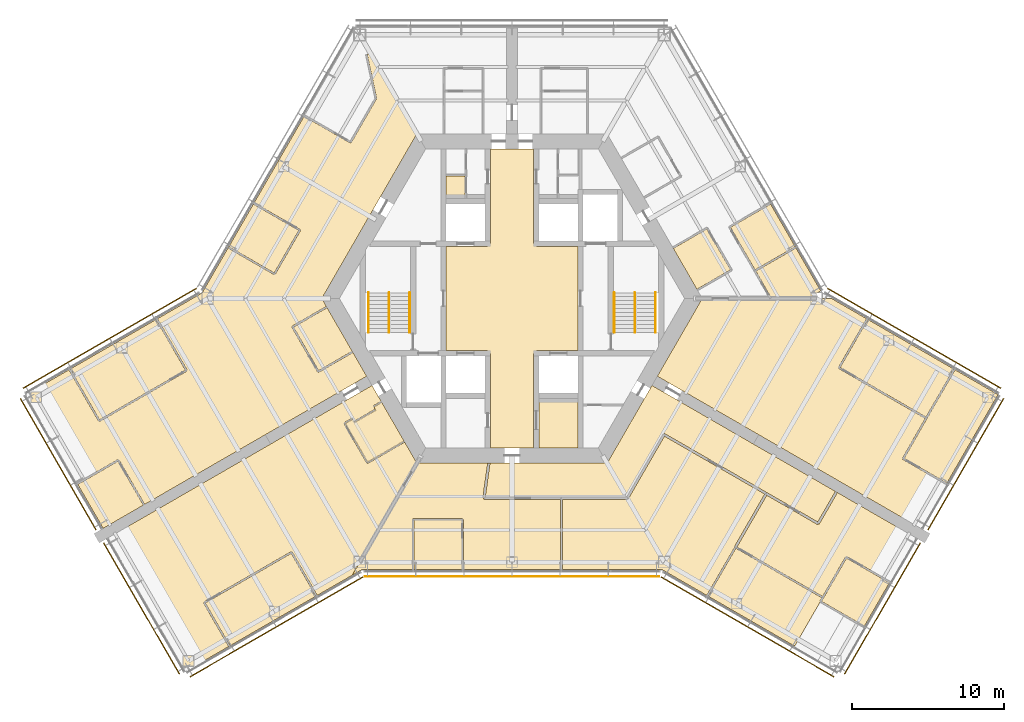
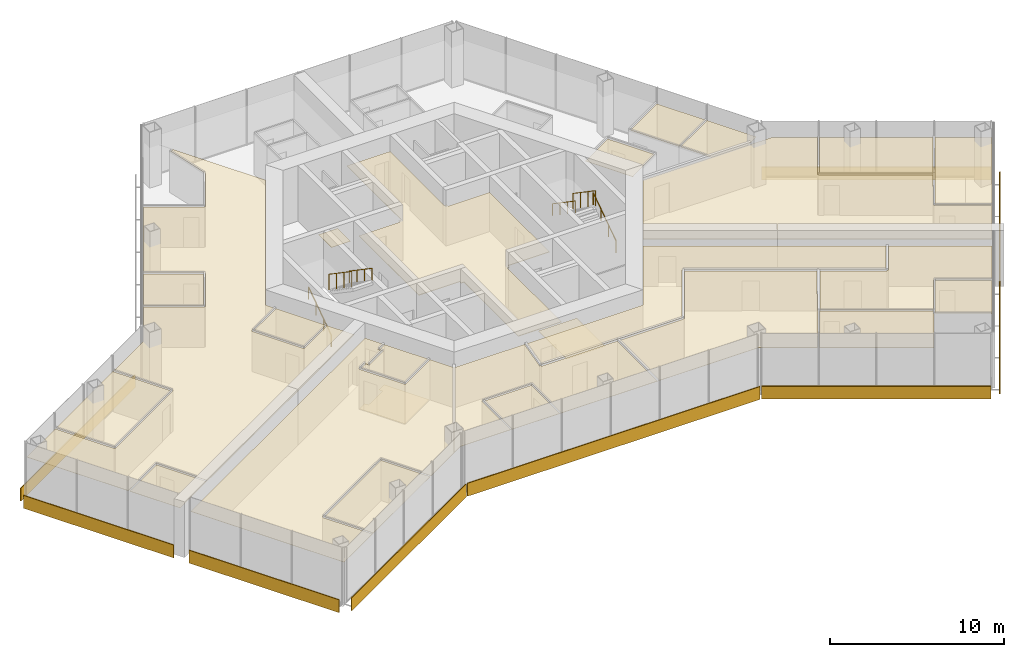
# One storey, part 17 of 18: 25 coverings, 9 shading devices, 6 railings.
"""IFC4 building model written with IfcOpenShell, lengths in metres."""

from ifc_helpers import new_model, si_unit, direction, frame, origin, origin_2d, place, context, subcontext, project, spatial, polyline, rectangle, circle, outline, extrude, material, layer, layer_set, type_object, element, save


model = new_model("IFC4")

# Units and contexts
model_context = context("Model", 3, precision=1e-05, world=origin(), true_north=direction((0.0, 1.0)))
body_context = subcontext(model_context, "Body", "Model", "MODEL_VIEW")
ifc_project = project(units=[si_unit("LENGTHUNIT", "METRE"), si_unit("AREAUNIT", "SQUARE_METRE"), si_unit("VOLUMEUNIT", "CUBIC_METRE"), si_unit("PLANEANGLEUNIT", "RADIAN"), si_unit("MASSUNIT", "GRAM", prefix="KILO")], contexts=[model_context])

# Site, building, storey
site_placement = place(None, origin())
site = spatial("IfcSite", under=ifc_project, at=site_placement, CompositionType="ELEMENT")
building_placement = place(site_placement, origin())
building = spatial("IfcBuilding", under=site, at=building_placement, Name="Kasaneha Research Tower", CompositionType="ELEMENT")
storey_placement = place(building_placement, frame((0.0, 0.0, 176.0)))
storey = spatial("IfcBuildingStorey", under=building, at=storey_placement, Name="L44", CompositionType="ELEMENT", Elevation=176.0)

# Covering
ifc_material_1 = material(Name="Aluminium panel ceiling", Category="aluminium")
ifc_layer_1 = layer(ifc_material_1, 0.0400390625)
ifc_layer_set_1 = layer_set([ifc_layer_1], Name="Lift lobby ceiling 40")
covering_type_1 = type_object("IfcCoveringType", Name="Lift lobby ceiling 40", PredefinedType="CEILING", material=ifc_layer_set_1)
covering_1_placement = place(storey_placement, frame((0.0, 0.0, 2.699951171875)))
element("IfcCovering", 1, at=covering_1_placement, inside=storey, type_object=covering_type_1, Name="Ceiling L44-01", PredefinedType="CEILING", context=body_context, shape_type="SweptSolid", body=[
    extrude(outline(polyline([(1.425048828125, 9.824951171875), (1.425048828125, 3.60009765625), (1.60009765625, 3.60009765625), (1.60009765625, 3.425048828125), (4.324951171875, 3.425048828125), (4.324951171875, -3.425048828125), (1.60009765625, -3.425048828125), (1.60009765625, -3.60009765625), (1.425048828125, -3.60009765625), (1.425048828125, -9.824951171875), (-1.425048828125, -9.824951171875), (-1.425048828125, -3.60009765625), (-1.60009765625, -3.60009765625), (-1.60009765625, -3.425048828125), (-4.324951171875, -3.425048828125), (-4.324951171875, 3.425048828125), (-1.60009765625, 3.425048828125), (-1.60009765625, 3.60009765625), (-1.425048828125, 3.60009765625), (-1.425048828125, 9.824951171875), (1.425048828125, 9.824951171875)])), origin(), (0.0, 0.0, 1.0), 0.0400390625),
])

# Railings
ifc_material_2 = material(Name="Steel", Category="steel")
railing_type_1 = type_object("IfcRailingType", Name="Stair balustrade 1100", PredefinedType="GUARDRAIL", material=ifc_material_2)
for number, where, name in (
    (2, (8.074951171875, 0.375, 2.127197265625), "Stair 1 balustrade L44"),
    (3, (-8.074951171875, 0.375, 2.127197265625), "Stair 2 balustrade L44"),
):
    element("IfcRailing", number, at=place(storey_placement, frame(where)), inside=storey, type_object=railing_type_1, Name=name, PredefinedType="GUARDRAIL", context=body_context, shape_type="SweptSolid", body=[
        extrude(circle(Radius=0.02392578125, at=origin_2d()), frame((0.0, 0.0, 1.076171875), z_axis=(0.0, -0.826240473404, 0.563317565952), x_axis=(1.0, 0.0, 0.0)), (0.0, 0.0, 1.0), 3.14697265625),
        extrude(circle(Radius=0.02099609375, at=origin_2d()), origin(), (0.0, 0.0, 1.0), 1.052001953125),
        extrude(circle(Radius=0.02099609375, at=origin_2d()), frame((0.0, -0.86669921875, 0.5908203125)), (0.0, 0.0, 1.0), 1.052001953125),
        extrude(circle(Radius=0.02099609375, at=origin_2d()), frame((0.0, -1.7333984375, 1.181884765625)), (0.0, 0.0, 1.0), 1.052001953125),
        extrude(circle(Radius=0.02099609375, at=origin_2d()), frame((0.0, -2.60009765625, 1.772705078125)), (0.0, 0.0, 1.0), 1.052001953125),
    ])
ifc_material_3 = material(Name="Steel", Category="steel")
railing_type_2 = type_object("IfcRailingType", Name="Stair handrail 850", PredefinedType="HANDRAIL", material=ifc_material_3)
railing_1_placement = place(storey_placement, frame((9.425048828125, -2.22509765625, 0.17724609375)))
element("IfcRailing", 4, at=railing_1_placement, inside=storey, type_object=railing_type_2, Name="Stair 1 handrail L44", PredefinedType="HANDRAIL", context=body_context, shape_type="SweptSolid", body=[
    extrude(circle(Radius=0.02392578125, at=origin_2d()), frame((0.0, 0.0, 0.826171875), z_axis=(0.0, 0.826240473404, 0.563317565952), x_axis=(-1.0, 0.0, 0.0)), (0.0, 0.0, 1.0), 3.14697265625),
    extrude(circle(Radius=0.02099609375, at=origin_2d()), origin(), (0.0, 0.0, 1.0), 0.802001953125),
    extrude(circle(Radius=0.02099609375, at=origin_2d()), frame((0.0, 0.86669921875, 0.5908203125)), (0.0, 0.0, 1.0), 0.802001953125),
    extrude(circle(Radius=0.02099609375, at=origin_2d()), frame((0.0, 1.7333984375, 1.181884765625)), (0.0, 0.0, 1.0), 0.802001953125),
    extrude(circle(Radius=0.02099609375, at=origin_2d()), frame((0.0, 2.60009765625, 1.772705078125)), (0.0, 0.0, 1.0), 0.802001953125),
])
railing_2_placement = place(storey_placement, frame((6.72509765625, 0.375, 2.127197265625)))
element("IfcRailing", 5, at=railing_2_placement, inside=storey, type_object=railing_type_2, Name="Stair 1 handrail L44", PredefinedType="HANDRAIL", context=body_context, shape_type="SweptSolid", body=[
    extrude(circle(Radius=0.02392578125, at=origin_2d()), frame((0.0, 0.0, 0.826171875), z_axis=(0.0, -0.826240473404, 0.563317565952), x_axis=(1.0, 0.0, 0.0)), (0.0, 0.0, 1.0), 3.14697265625),
    extrude(circle(Radius=0.02099609375, at=origin_2d()), origin(), (0.0, 0.0, 1.0), 0.802001953125),
    extrude(circle(Radius=0.02099609375, at=origin_2d()), frame((0.0, -0.86669921875, 0.5908203125)), (0.0, 0.0, 1.0), 0.802001953125),
    extrude(circle(Radius=0.02099609375, at=origin_2d()), frame((0.0, -1.7333984375, 1.181884765625)), (0.0, 0.0, 1.0), 0.802001953125),
    extrude(circle(Radius=0.02099609375, at=origin_2d()), frame((0.0, -2.60009765625, 1.772705078125)), (0.0, 0.0, 1.0), 0.802001953125),
])
railing_3_placement = place(storey_placement, frame((-9.425048828125, -2.22509765625, 0.17724609375)))
element("IfcRailing", 6, at=railing_3_placement, inside=storey, type_object=railing_type_2, Name="Stair 2 handrail L44", PredefinedType="HANDRAIL", context=body_context, shape_type="SweptSolid", body=[
    extrude(circle(Radius=0.02392578125, at=origin_2d()), frame((0.0, 0.0, 0.826171875), z_axis=(0.0, 0.826240473404, 0.563317565952), x_axis=(-1.0, 0.0, 0.0)), (0.0, 0.0, 1.0), 3.14697265625),
    extrude(circle(Radius=0.02099609375, at=origin_2d()), origin(), (0.0, 0.0, 1.0), 0.802001953125),
    extrude(circle(Radius=0.02099609375, at=origin_2d()), frame((0.0, 0.86669921875, 0.5908203125)), (0.0, 0.0, 1.0), 0.802001953125),
    extrude(circle(Radius=0.02099609375, at=origin_2d()), frame((0.0, 1.7333984375, 1.181884765625)), (0.0, 0.0, 1.0), 0.802001953125),
    extrude(circle(Radius=0.02099609375, at=origin_2d()), frame((0.0, 2.60009765625, 1.772705078125)), (0.0, 0.0, 1.0), 0.802001953125),
])
railing_4_placement = place(storey_placement, frame((-6.72509765625, 0.375, 2.127197265625)))
element("IfcRailing", 7, at=railing_4_placement, inside=storey, type_object=railing_type_2, Name="Stair 2 handrail L44", PredefinedType="HANDRAIL", context=body_context, shape_type="SweptSolid", body=[
    extrude(circle(Radius=0.02392578125, at=origin_2d()), frame((0.0, 0.0, 0.826171875), z_axis=(0.0, -0.826240473404, 0.563317565952), x_axis=(1.0, 0.0, 0.0)), (0.0, 0.0, 1.0), 3.14697265625),
    extrude(circle(Radius=0.02099609375, at=origin_2d()), origin(), (0.0, 0.0, 1.0), 0.802001953125),
    extrude(circle(Radius=0.02099609375, at=origin_2d()), frame((0.0, -0.86669921875, 0.5908203125)), (0.0, 0.0, 1.0), 0.802001953125),
    extrude(circle(Radius=0.02099609375, at=origin_2d()), frame((0.0, -1.7333984375, 1.181884765625)), (0.0, 0.0, 1.0), 0.802001953125),
    extrude(circle(Radius=0.02099609375, at=origin_2d()), frame((0.0, -2.60009765625, 1.772705078125)), (0.0, 0.0, 1.0), 0.802001953125),
])

# Coverings
ifc_material_4 = material(Name="Gypsum ceiling board", Category="gypsum")
ifc_layer_2 = layer(ifc_material_4, 0.02001953125)
ifc_layer_set_2 = layer_set([ifc_layer_2], Name="Suspended ceiling 20")
covering_type_2 = type_object("IfcCoveringType", Name="Suspended ceiling 20", PredefinedType="CEILING", material=ifc_layer_set_2)
covering_2_placement = place(storey_placement, frame((0.0, 0.0, 2.800048828125)))
element("IfcCovering", 8, at=covering_2_placement, inside=storey, type_object=covering_type_2, Name="Ceiling L44-30", PredefinedType="CEILING", context=body_context, shape_type="SweptSolid", body=[
    extrude(outline(polyline([(10.57470703125, 3.333984375), (10.592041015625, 3.343994140625), (10.616943359375, 3.30078125), (12.80810546875, 4.565673828125), (14.358154296875, 1.881103515625), (12.1669921875, 0.6162109375), (12.192138671875, 0.57275390625), (12.1748046875, 0.562744140625), (10.57470703125, 3.333984375)])), origin(), (0.0, 0.0, 1.0), 0.02001953125),
])
covering_3_placement = place(storey_placement, frame((0.0, 0.0, 2.800048828125)))
element("IfcCovering", 9, at=covering_3_placement, inside=storey, type_object=covering_type_2, Name="Ceiling L44-31", PredefinedType="CEILING", context=body_context, shape_type="SweptSolid", body=[
    extrude(outline(polyline([(18.63720703125, 3.360595703125), (18.619873046875, 3.3505859375), (18.594970703125, 3.393798828125), (15.97216796875, 1.88525390625), (14.35546875, 4.677001953125), (16.99658203125, 6.201904296875), (18.63720703125, 3.360595703125)])), origin(), (0.0, 0.0, 1.0), 0.02001953125),
])
covering_4_placement = place(storey_placement, frame((0.0, 0.0, 2.800048828125)))
element("IfcCovering", 10, at=covering_4_placement, inside=storey, type_object=covering_type_2, Name="Ceiling L44-32", PredefinedType="CEILING", context=body_context, shape_type="SweptSolid", body=[
    extrude(outline(polyline([(20.28759765625, 0.501708984375), (19.41845703125, 0.0), (16.997802734375, 0.0), (16.986328125, 0.02001953125), (17.029541015625, 0.044921875), (16.022216796875, 1.798583984375), (18.644775390625, 3.30712890625), (18.619873046875, 3.3505859375), (18.63720703125, 3.360595703125), (20.28759765625, 0.501708984375)])), origin(), (0.0, 0.0, 1.0), 0.02001953125),
])
covering_5_placement = place(storey_placement, frame((0.0, 0.0, 2.800048828125)))
element("IfcCovering", 11, at=covering_5_placement, inside=storey, type_object=covering_type_2, Name="Ceiling L44-38", PredefinedType="CEILING", context=body_context, shape_type="SweptSolid", body=[
    extrude(outline(polyline([(-16.99658203125, 6.201904296875), (-14.0087890625, 4.476806640625), (-15.62451171875, 1.6787109375), (-18.5947265625, 3.393798828125), (-18.619873046875, 3.3505859375), (-18.63720703125, 3.360595703125), (-16.99658203125, 6.201904296875)])), origin(), (0.0, 0.0, 1.0), 0.02001953125),
])
covering_6_placement = place(storey_placement, frame((0.0, 0.0, 2.800048828125)))
element("IfcCovering", 12, at=covering_6_placement, inside=storey, type_object=covering_type_2, Name="Ceiling L44-39", PredefinedType="CEILING", context=body_context, shape_type="SweptSolid", body=[
    extrude(outline(polyline([(-23.34228515625, -1.352294921875), (-23.332275390625, -1.36962890625), (-23.37548828125, -1.39453125), (-21.46044921875, -4.71142578125), (-27.106689453125, -7.97119140625), (-29.03173828125, -4.636962890625), (-23.34228515625, -1.352294921875)])), origin(), (0.0, 0.0, 1.0), 0.02001953125),
])
covering_7_placement = place(storey_placement, frame((0.0, 0.0, 2.800048828125)))
element("IfcCovering", 13, at=covering_7_placement, inside=storey, type_object=covering_type_2, Name="Ceiling L44-40", PredefinedType="CEILING", context=body_context, shape_type="SweptSolid", body=[
    extrude(outline(polyline([(-10.474609375, -3.50732421875), (-10.491943359375, -3.51708984375), (-10.51708984375, -3.473876953125), (-12.7080078125, -4.739013671875), (-14.358154296875, -1.881103515625), (-12.1669921875, -0.6162109375), (-12.192138671875, -0.57275390625), (-12.1748046875, -0.562744140625), (-10.474609375, -3.50732421875)])), origin(), (0.0, 0.0, 1.0), 0.02001953125),
])
covering_8_placement = place(storey_placement, frame((0.0, 0.0, 2.800048828125)))
element("IfcCovering", 14, at=covering_8_placement, inside=storey, type_object=covering_type_2, Name="Ceiling L44-41", PredefinedType="CEILING", context=body_context, shape_type="SweptSolid", body=[
    extrude(outline(polyline([(-28.532958984375, -12.220458984375), (-25.8916015625, -10.6953125), (-24.235107421875, -13.564697265625), (-24.191650390625, -13.539794921875), (-24.181640625, -13.55712890625), (-26.866455078125, -15.107177734375), (-28.532958984375, -12.220458984375)])), origin(), (0.0, 0.0, 1.0), 0.02001953125),
])
covering_9_placement = place(storey_placement, frame((0.0, 0.0, 2.800048828125)))
element("IfcCovering", 15, at=covering_9_placement, inside=storey, type_object=covering_type_2, Name="Ceiling L44-42", PredefinedType="CEILING", context=body_context, shape_type="SweptSolid", body=[
    extrude(outline(polyline([(-12.1923828125, -0.572265625), (-12.217041015625, -0.529541015625), (-14.451416015625, -1.819580078125), (-14.426513671875, -1.86279296875), (-14.4267578125, -1.863037109375), (-14.4267578125, -1.863037109375), (-14.4697265625, -1.8876953125), (-12.769775390625, -4.832275390625), (-12.726806640625, -4.807373046875), (-12.7265625, -4.8076171875), (-12.726318359375, -4.8076171875), (-12.701416015625, -4.8505859375), (-10.467041015625, -3.560546875), (-10.49169921875, -3.517578125), (-10.474365234375, -3.507568359375), (-9.5498046875, -5.109375), (-10.3291015625, -5.559326171875), (-10.3291015625, -5.559326171875), (-18.001220703125, -9.98876953125), (-24.18115234375, -13.556884765625), (-24.191162109375, -13.53955078125), (-24.1484375, -13.514892578125), (-25.830078125, -10.60205078125), (-25.873046875, -10.626953125), (-25.873291015625, -10.626708984375), (-25.87353515625, -10.626708984375), (-25.898193359375, -10.583740234375), (-28.5830078125, -12.1337890625), (-31.94140625, -6.31689453125), (-29.1181640625, -4.68701171875), (-27.168212890625, -8.064697265625), (-27.125244140625, -8.039794921875), (-27.125, -8.0400390625), (-27.124755859375, -8.0400390625), (-27.10009765625, -8.0830078125), (-21.3671875, -4.773193359375), (-21.39208984375, -4.730224609375), (-21.391845703125, -4.730224609375), (-21.39208984375, -4.729736328125), (-21.348876953125, -4.704833984375), (-23.288818359375, -1.344482421875), (-23.331787109375, -1.369384765625), (-23.341796875, -1.35205078125), (-20.365966796875, 0.365966796875), (-18.637451171875, 3.360107421875), (-18.6201171875, 3.35009765625), (-18.644775390625, 3.30712890625), (-15.631103515625, 1.567138671875), (-15.606201171875, 1.6103515625), (-15.605712890625, 1.610107421875), (-15.605712890625, 1.6103515625), (-15.562744140625, 1.58544921875), (-13.897216796875, 4.47021484375), (-13.940185546875, 4.4951171875), (-13.940185546875, 4.495361328125), (-13.9404296875, 4.49560546875), (-13.91552734375, 4.53857421875), (-16.94677734375, 6.28857421875), (-13.64111328125, 12.01416015625), (-13.62353515625, 12.004150390625), (-13.6484375, 11.961181640625), (-10.634765625, 10.22119140625), (-10.609619140625, 10.264404296875), (-10.609375, 10.26416015625), (-10.609375, 10.26416015625), (-10.56640625, 10.239501953125), (-8.89990234375, 13.124267578125), (-8.943115234375, 13.1494140625), (-8.894287109375, 13.159912109375), (-9.51513671875, 16.034423828125), (-9.56396484375, 16.02392578125), (-9.56396484375, 16.02392578125), (-9.308837890625, 16.122314453125), (-6.25, 10.824462890625), (-12.49951171875, 0.0), (-12.175048828125, -0.562255859375), (-12.1923828125, -0.572265625)])), origin(), (0.0, 0.0, 1.0), 0.02001953125),
])
covering_10_placement = place(storey_placement, frame((0.0, 0.0, 2.800048828125)))
element("IfcCovering", 16, at=covering_10_placement, inside=storey, type_object=covering_type_2, Name="Ceiling L44-43", PredefinedType="CEILING", context=body_context, shape_type="SweptSolid", body=[
    extrude(outline(polyline([(-10.35498046875, -8.11474609375), (-10.35498046875, -8.11474609375), (-10.330078125, -8.157958984375), (-8.9443359375, -7.35791015625), (-8.994384765625, -7.271240234375), (-8.994384765625, -7.271240234375), (-9.09423828125, -7.09814453125), (-9.09423828125, -7.09814453125), (-9.0693359375, -7.141357421875), (-8.56689453125, -6.851318359375), (-8.592041015625, -6.80810546875), (-8.57470703125, -6.798095703125), (-7.07470703125, -9.396240234375), (-7.092041015625, -9.40625), (-7.116943359375, -9.36279296875), (-9.481201171875, -10.727783203125), (-10.931396484375, -8.21630859375), (-10.455078125, -7.94140625), (-10.35498046875, -8.11474609375)])), origin(), (0.0, 0.0, 1.0), 0.02001953125),
])
covering_11_placement = place(storey_placement, frame((0.0, 0.0, 2.800048828125)))
element("IfcCovering", 17, at=covering_11_placement, inside=storey, type_object=covering_type_2, Name="Ceiling L44-44", PredefinedType="CEILING", context=body_context, shape_type="SweptSolid", body=[
    extrude(outline(polyline([(-18.574951171875, -22.8486328125), (-18.5849609375, -22.831298828125), (-18.541748046875, -22.806396484375), (-20.15673828125, -20.009033203125), (-14.510498046875, -16.749267578125), (-12.885498046875, -19.563720703125), (-18.574951171875, -22.8486328125)])), origin(), (0.0, 0.0, 1.0), 0.02001953125),
])
covering_12_placement = place(storey_placement, frame((0.0, 0.0, 2.800048828125)))
element("IfcCovering", 18, at=covering_12_placement, inside=storey, type_object=covering_type_2, Name="Ceiling L44-45", PredefinedType="CEILING", context=body_context, shape_type="SweptSolid", body=[
    extrude(outline(polyline([(-9.979248046875, -6.16552734375), (-9.979248046875, -6.16552734375), (-9.19970703125, -5.715576171875), (-8.574951171875, -6.797607421875), (-8.59228515625, -6.8076171875), (-8.616943359375, -6.764892578125), (-9.119384765625, -7.0546875), (-9.094482421875, -7.09765625), (-9.0947265625, -7.097900390625), (-8.99462890625, -7.271484375), (-10.379638671875, -8.071044921875), (-10.47998046875, -7.897705078125), (-10.480224609375, -7.897705078125), (-10.5048828125, -7.854736328125), (-11.024658203125, -8.15478515625), (-10.999755859375, -8.19775390625), (-11.0, -8.197998046875), (-11.0, -8.1982421875), (-11.04296875, -8.22314453125), (-9.54296875, -10.8212890625), (-9.5, -10.79638671875), (-9.5, -10.796630859375), (-9.49951171875, -10.79638671875), (-9.474609375, -10.839599609375), (-7.06689453125, -9.449462890625), (-7.091796875, -9.40673828125), (-7.074462890625, -9.396728515625), (-6.249755859375, -10.824951171875), (-10.5, -18.1865234375), (-12.798828125, -19.513916015625), (-14.448974609375, -16.656005859375), (-14.4921875, -16.680908203125), (-14.51708984375, -16.6376953125), (-20.25, -19.947509765625), (-20.225341796875, -19.990234375), (-20.225341796875, -19.990478515625), (-20.22509765625, -19.99072265625), (-20.268310546875, -20.015625), (-18.62841796875, -22.856201171875), (-18.58544921875, -22.83154296875), (-18.575439453125, -22.848876953125), (-21.44140625, -24.50341796875), (-26.516357421875, -15.71337890625), (-10.84521484375, -6.66552734375), (-10.84521484375, -6.66552734375), (-9.979248046875, -6.16552734375)])), origin(), (0.0, 0.0, 1.0), 0.02001953125),
])
covering_13_placement = place(storey_placement, frame((0.0, 0.0, 2.800048828125)))
element("IfcCovering", 19, at=covering_13_placement, inside=storey, type_object=covering_type_2, Name="Ceiling L44-46", PredefinedType="CEILING", context=body_context, shape_type="SweptSolid", body=[
    extrude(outline(polyline([(29.03173828125, -4.63720703125), (27.203857421875, -7.7919921875), (21.560546875, -4.538330078125), (23.37548828125, -1.39453125), (23.332275390625, -1.36962890625), (23.34228515625, -1.352294921875), (29.03173828125, -4.63720703125)])), origin(), (0.0, 0.0, 1.0), 0.02001953125),
])
covering_14_placement = place(storey_placement, frame((0.0, 0.0, 2.800048828125)))
element("IfcCovering", 20, at=covering_14_placement, inside=storey, type_object=covering_type_2, Name="Ceiling L44-47", PredefinedType="CEILING", context=body_context, shape_type="SweptSolid", body=[
    extrude(outline(polyline([(31.941650390625, -6.316650390625), (28.5830078125, -12.1337890625), (25.768310546875, -10.5087890625), (27.269775390625, -7.887451171875), (27.265625, -7.885009765625), (29.118408203125, -4.68701171875), (31.941650390625, -6.316650390625)])), origin(), (0.0, 0.0, 1.0), 0.02001953125),
])
covering_15_placement = place(storey_placement, frame((0.0, 0.0, 2.800048828125)))
element("IfcCovering", 21, at=covering_15_placement, inside=storey, type_object=covering_type_2, Name="Ceiling L44-48", PredefinedType="CEILING", context=body_context, shape_type="SweptSolid", body=[
    extrude(outline(polyline([(9.5498046875, -5.109375), (12.49951171875, 0.0), (16.93994140625, 0.0), (16.94287109375, -0.0048828125), (16.951416015625, 0.0), (21.0, 0.0), (23.341796875, -1.35205078125), (23.331787109375, -1.369384765625), (23.288818359375, -1.344482421875), (21.448974609375, -4.531494140625), (21.491943359375, -4.556396484375), (21.49169921875, -4.556884765625), (21.491943359375, -4.556884765625), (21.46728515625, -4.599853515625), (27.158447265625, -7.881103515625), (25.65673828125, -10.502197265625), (25.69970703125, -10.52685546875), (25.69970703125, -10.527099609375), (25.699951171875, -10.52734375), (25.675048828125, -10.5703125), (28.532958984375, -12.220458984375), (26.866455078125, -15.107177734375), (14.286376953125, -7.843994140625), (10.3291015625, -5.559326171875), (10.3291015625, -5.559326171875), (9.5498046875, -5.109375)])), origin(), (0.0, 0.0, 1.0), 0.02001953125),
])
covering_16_placement = place(storey_placement, frame((0.0, 0.0, 2.800048828125)))
element("IfcCovering", 22, at=covering_16_placement, inside=storey, type_object=covering_type_2, Name="Ceiling L44-49", PredefinedType="CEILING", context=body_context, shape_type="SweptSolid", body=[
    extrude(outline(polyline([(9.991455078125, -8.944091796875), (9.9267578125, -8.906494140625), (7.534423828125, -13.050048828125), (3.25146484375, -13.050048828125), (3.241455078125, -13.050048828125), (-1.75830078125, -13.050048828125), (-1.449951171875, -10.85546875), (-1.524169921875, -10.844970703125), (-1.521240234375, -10.824951171875), (6.249755859375, -10.824951171875), (9.19970703125, -5.715576171875), (9.979248046875, -6.16552734375), (9.979248046875, -6.16552734375), (10.84521484375, -6.66552734375), (10.84521484375, -6.66552734375), (16.76171875, -10.08154296875), (21.320068359375, -12.71337890625), (21.310302734375, -12.730712890625), (21.245361328125, -12.693115234375), (20.0927734375, -14.689453125), (16.75048828125, -12.759765625), (16.75048828125, -12.759765625), (10.029052734375, -8.879150390625), (9.99169921875, -8.944091796875), (9.99169921875, -8.944091796875), (9.991455078125, -8.944091796875)])), origin(), (0.0, 0.0, 1.0), 0.02001953125),
])
covering_17_placement = place(storey_placement, frame((0.0, 0.0, 2.800048828125)))
element("IfcCovering", 23, at=covering_17_placement, inside=storey, type_object=covering_type_2, Name="Ceiling L44-50", PredefinedType="CEILING", context=body_context, shape_type="SweptSolid", body=[
    extrude(outline(polyline([(18.574951171875, -22.8486328125), (12.885498046875, -19.563720703125), (14.71240234375, -16.408935546875), (20.359619140625, -19.6689453125), (20.2314453125, -19.899169921875), (20.2666015625, -19.918701171875), (18.574951171875, -22.8486328125)])), origin(), (0.0, 0.0, 1.0), 0.02001953125),
])
covering_18_placement = place(storey_placement, frame((0.0, 0.0, 2.800048828125)))
element("IfcCovering", 24, at=covering_18_placement, inside=storey, type_object=covering_type_2, Name="Ceiling L44-51", PredefinedType="CEILING", context=body_context, shape_type="SweptSolid", body=[
    extrude(outline(polyline([(-6.492919921875, -17.820556640625), (-6.492919921875, -17.800537109375), (-6.44287109375, -17.800537109375), (-6.44287109375, -14.570556640625), (-3.29638671875, -14.570556640625), (-3.29638671875, -17.800537109375), (-3.246337890625, -17.800537109375), (-3.246337890625, -17.820556640625), (-6.492919921875, -17.820556640625)])), origin(), (0.0, 0.0, 1.0), 0.02001953125),
])
covering_19_placement = place(storey_placement, frame((0.0, 0.0, 2.800048828125)))
element("IfcCovering", 25, at=covering_19_placement, inside=storey, type_object=covering_type_2, Name="Ceiling L44-52", PredefinedType="CEILING", context=body_context, shape_type="SweptSolid", body=[
    extrude(outline(polyline([(23.133056640625, -21.573486328125), (23.11572265625, -21.5634765625), (23.140625, -21.520263671875), (20.3427734375, -19.90478515625), (20.470458984375, -19.67529296875), (20.474853515625, -19.677734375), (21.985107421875, -17.061767578125), (24.7998046875, -18.686767578125), (23.133056640625, -21.573486328125)])), origin(), (0.0, 0.0, 1.0), 0.02001953125),
])
covering_20_placement = place(storey_placement, frame((0.0, 0.0, 2.800048828125)))
element("IfcCovering", 26, at=covering_20_placement, inside=storey, type_object=covering_type_2, Name="Ceiling L44-53", PredefinedType="CEILING", context=body_context, shape_type="SweptSolid", body=[
    extrude(outline(polyline([(7.578125, -13.125244140625), (7.642578125, -13.16259765625), (10.01904296875, -9.046630859375), (16.6103515625, -12.85205078125), (14.624755859375, -16.30078125), (14.650634765625, -16.31591796875), (12.798828125, -19.513916015625), (9.865966796875, -17.820556640625), (3.246337890625, -17.820556640625), (3.246337890625, -17.800537109375), (3.3212890625, -17.800537109375), (3.326416015625, -13.199951171875), (7.57763671875, -13.199951171875), (7.57763671875, -13.12548828125), (7.577880859375, -13.12548828125), (7.578125, -13.125244140625)])), origin(), (0.0, 0.0, 1.0), 0.02001953125),
])
covering_21_placement = place(storey_placement, frame((0.0, 0.0, 2.800048828125)))
element("IfcCovering", 27, at=covering_21_placement, inside=storey, type_object=covering_type_2, Name="Ceiling L44-54", PredefinedType="CEILING", context=body_context, shape_type="SweptSolid", body=[
    extrude(outline(polyline([(-3.246337890625, -14.520263671875), (-3.246337890625, -14.470458984375), (-6.492919921875, -14.470458984375), (-6.492919921875, -14.52001953125), (-6.492919921875, -14.52001953125), (-6.492919921875, -14.5205078125), (-6.542724609375, -14.5205078125), (-6.542724609375, -17.800537109375), (-6.493408203125, -17.800537109375), (-6.493408203125, -17.820556640625), (-9.865966796875, -17.820556640625), (-10.5, -18.1865234375), (-6.249755859375, -10.824951171875), (-1.52197265625, -10.824951171875), (-1.524658203125, -10.844970703125), (-1.598388671875, -10.83447265625), (-1.9189453125, -13.114501953125), (-1.8447265625, -13.125), (-1.8447265625, -13.12548828125), (-1.844482421875, -13.12548828125), (-1.844482421875, -13.199951171875), (3.17626953125, -13.199951171875), (3.17138671875, -17.800537109375), (3.246337890625, -17.800537109375), (3.246337890625, -17.820556640625), (-3.245849609375, -17.820556640625), (-3.245849609375, -17.800537109375), (-3.1962890625, -17.800537109375), (-3.1962890625, -14.5205078125), (-3.24609375, -14.5205078125), (-3.24609375, -14.520263671875), (-3.246337890625, -14.520263671875)])), origin(), (0.0, 0.0, 1.0), 0.02001953125),
])
covering_22_placement = place(storey_placement, frame((0.0, 0.0, 2.800048828125)))
element("IfcCovering", 28, at=covering_22_placement, inside=storey, type_object=covering_type_2, Name="Ceiling L44-55", PredefinedType="CEILING", context=body_context, shape_type="SweptSolid", body=[
    extrude(outline(polyline([(25.57421875, -15.16943359375), (26.516357421875, -15.71337890625), (24.849609375, -18.60009765625), (21.99169921875, -16.9501953125), (21.967041015625, -16.9931640625), (21.966552734375, -16.992919921875), (21.966552734375, -16.9931640625), (21.923583984375, -16.968505859375), (20.4130859375, -19.58447265625), (14.779541015625, -16.33251953125), (16.740478515625, -12.927001953125), (20.082763671875, -14.856689453125), (20.119873046875, -14.792236328125), (20.119873046875, -14.792236328125), (20.1201171875, -14.791748046875), (20.18505859375, -14.829345703125), (21.375244140625, -12.768310546875), (21.310546875, -12.73095703125), (21.320556640625, -12.713623046875), (25.57421875, -15.16943359375)])), origin(), (0.0, 0.0, 1.0), 0.02001953125),
])

# Shading devices
ifc_material_5 = material(Name="Terracotta", Category="masonry")
ifc_layer_3 = layer(ifc_material_5, 0.06005859375)
ifc_layer_set_3 = layer_set([ifc_layer_3], Name="Terracotta baguette screen")
shading_device_type = type_object("IfcShadingDeviceType", Name="Terracotta baguette screen", PredefinedType="USERDEFINED", material=ifc_layer_set_3)
shading_device_1_placement = place(storey_placement, frame((0.0, -18.2705078125, -0.449951171875), z_axis=(0.0, 0.0, 1.0), x_axis=(1.0, 0.0, 0.0)))
element("IfcShadingDevice", 29, at=shading_device_1_placement, inside=storey, type_object=shading_device_type, Name="Baguette screen L44 01", ObjectType="TERRACOTTA BAGUETTE SCREEN", PredefinedType="USERDEFINED", context=body_context, shape_type="SweptSolid", body=[
    extrude(rectangle(XDim=19.37841796875, YDim=0.06005859375, at=origin_2d()), origin(), (0.0, 0.0, 1.0), 0.89990234375),
])
shading_device_2_placement = place(storey_placement, frame((15.483642578125, -21.58349609375, -0.449951171875), z_axis=(0.0, 0.0, 1.0), x_axis=(0.866025411464, -0.499999986699, 0.0)))
element("IfcShadingDevice", 30, at=shading_device_2_placement, inside=storey, type_object=shading_device_type, Name="Baguette screen L44 02", ObjectType="TERRACOTTA BAGUETTE SCREEN", PredefinedType="USERDEFINED", context=body_context, shape_type="SweptSolid", body=[
    extrude(rectangle(XDim=13.13916015625, YDim=0.06005859375, at=origin_2d()), origin(), (0.0, 0.0, 1.0), 0.89990234375),
])
for number, where, z_axis, x_axis, name in (
    (31, (24.343505859375, -20.376708984375, -0.449951171875), (0.0, 0.0, 1.0), (0.500000011442, 0.866025397178, 0.0), "Baguette screen L44 03"),
    (32, (29.818603515625, -10.893798828125, -0.449951171875), (0.0, 0.0, 1.0), (0.500000011442, 0.866025397178, 0.0), "Baguette screen L44 04"),
):
    element("IfcShadingDevice", number, at=place(storey_placement, frame(where, z_axis=z_axis, x_axis=x_axis)), inside=storey, type_object=shading_device_type, Name=name, ObjectType="TERRACOTTA BAGUETTE SCREEN", PredefinedType="USERDEFINED", context=body_context, shape_type="SweptSolid", body=[
        extrude(rectangle(XDim=9.949951171875, YDim=0.06005859375, at=origin_2d()), origin(), (0.0, 0.0, 1.0), 0.89990234375),
    ])
for number, where, z_axis, x_axis, name in (
    (33, (26.43359375, -2.617431640625, -0.449951171875), (0.0, 0.0, 1.0), (-0.866025411464, 0.499999986699, 0.0), "Baguette screen L44 05"),
    (34, (-26.43359375, -2.617431640625, -0.449951171875), (0.0, 0.0, 1.0), (-0.866025411464, -0.499999986699, 0.0), "Baguette screen L44 09"),
):
    element("IfcShadingDevice", number, at=place(storey_placement, frame(where, z_axis=z_axis, x_axis=x_axis)), inside=storey, type_object=shading_device_type, Name=name, ObjectType="TERRACOTTA BAGUETTE SCREEN", PredefinedType="USERDEFINED", context=body_context, shape_type="SweptSolid", body=[
        extrude(rectangle(XDim=13.13916015625, YDim=0.06005859375, at=origin_2d()), origin(), (0.0, 0.0, 1.0), 0.89990234375),
    ])
for number, where, z_axis, x_axis, name in (
    (35, (-29.818603515625, -10.893798828125, -0.449951171875), (0.0, 0.0, 1.0), (0.500000011442, -0.866025397178, 0.0), "Baguette screen L44 10"),
    (36, (-24.343505859375, -20.376708984375, -0.449951171875), (0.0, 0.0, 1.0), (0.500000011442, -0.866025397178, 0.0), "Baguette screen L44 11"),
):
    element("IfcShadingDevice", number, at=place(storey_placement, frame(where, z_axis=z_axis, x_axis=x_axis)), inside=storey, type_object=shading_device_type, Name=name, ObjectType="TERRACOTTA BAGUETTE SCREEN", PredefinedType="USERDEFINED", context=body_context, shape_type="SweptSolid", body=[
        extrude(rectangle(XDim=9.949951171875, YDim=0.06005859375, at=origin_2d()), origin(), (0.0, 0.0, 1.0), 0.89990234375),
    ])
shading_device_3_placement = place(storey_placement, frame((-15.483642578125, -21.58349609375, -0.449951171875), z_axis=(0.0, 0.0, 1.0), x_axis=(0.866025411464, 0.499999986699, 0.0)))
element("IfcShadingDevice", 37, at=shading_device_3_placement, inside=storey, type_object=shading_device_type, Name="Baguette screen L44 12", ObjectType="TERRACOTTA BAGUETTE SCREEN", PredefinedType="USERDEFINED", context=body_context, shape_type="SweptSolid", body=[
    extrude(rectangle(XDim=13.13916015625, YDim=0.06005859375, at=origin_2d()), origin(), (0.0, 0.0, 1.0), 0.89990234375),
])

# Coverings
ifc_material_6 = material(Name="Vinyl sheet flooring", Category="plastic")
ifc_layer_4 = layer(ifc_material_6, 0.0048828125)
ifc_layer_set_4 = layer_set([ifc_layer_4], Name="Wet room sheet flooring 5")
covering_type_3 = type_object("IfcCoveringType", Name="Wet room sheet flooring 5", PredefinedType="FLOORING", material=ifc_layer_set_4)
covering_23_placement = place(storey_placement, origin())
element("IfcCovering", 38, at=covering_23_placement, inside=storey, type_object=covering_type_3, Name="Floor finish L44-08", PredefinedType="FLOORING", context=body_context, shape_type="SweptSolid", body=[
    extrude(outline(polyline([(-4.324951171875, 6.574951171875), (-4.324951171875, 8.050048828125), (-3.074951171875, 8.050048828125), (-3.074951171875, 6.574951171875), (-4.324951171875, 6.574951171875)])), origin(), (0.0, 0.0, 1.0), 0.0048828125),
])
covering_24_placement = place(storey_placement, origin())
element("IfcCovering", 39, at=covering_24_placement, inside=storey, type_object=covering_type_3, Name="Floor finish L44-13", PredefinedType="FLOORING", context=body_context, shape_type="SweptSolid", body=[
    extrude(outline(polyline([(1.77490234375, -9.824951171875), (1.77490234375, -6.574951171875), (4.324951171875, -6.574951171875), (4.324951171875, -9.824951171875), (1.77490234375, -9.824951171875)])), origin(), (0.0, 0.0, 1.0), 0.0048828125),
])
covering_25_placement = place(storey_placement, origin())
element("IfcCovering", 40, at=covering_25_placement, inside=storey, type_object=covering_type_3, Name="Floor finish L44-43", PredefinedType="FLOORING", context=body_context, shape_type="SweptSolid", body=[
    extrude(outline(polyline([(-10.99951171875, -8.1982421875), (-10.47998046875, -7.898193359375), (-10.35498046875, -8.11474609375), (-8.96923828125, -7.314697265625), (-9.09423828125, -7.09814453125), (-8.57470703125, -6.798095703125), (-7.07470703125, -9.396240234375), (-9.49951171875, -10.796142578125), (-10.99951171875, -8.1982421875)])), origin(), (0.0, 0.0, 1.0), 0.0048828125),
])

save(model, "model.ifc")
